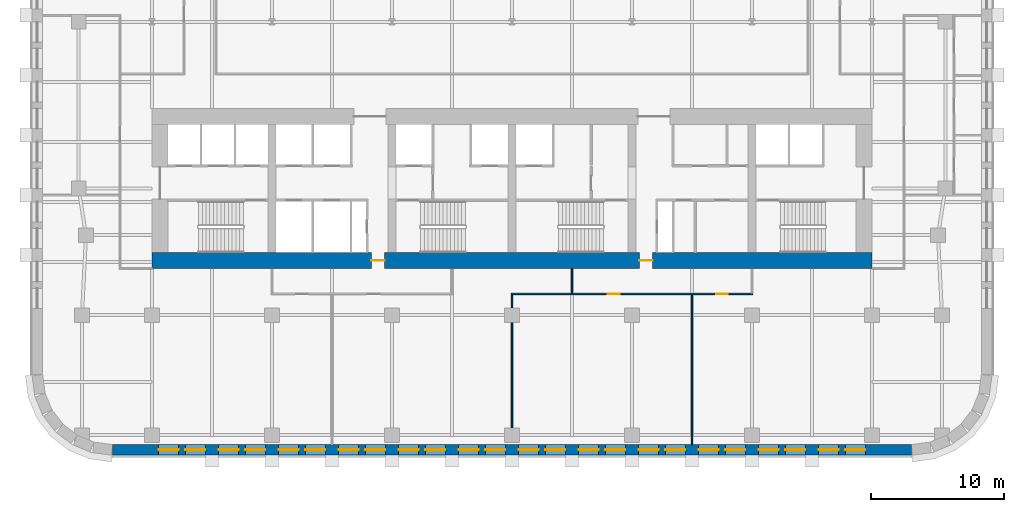
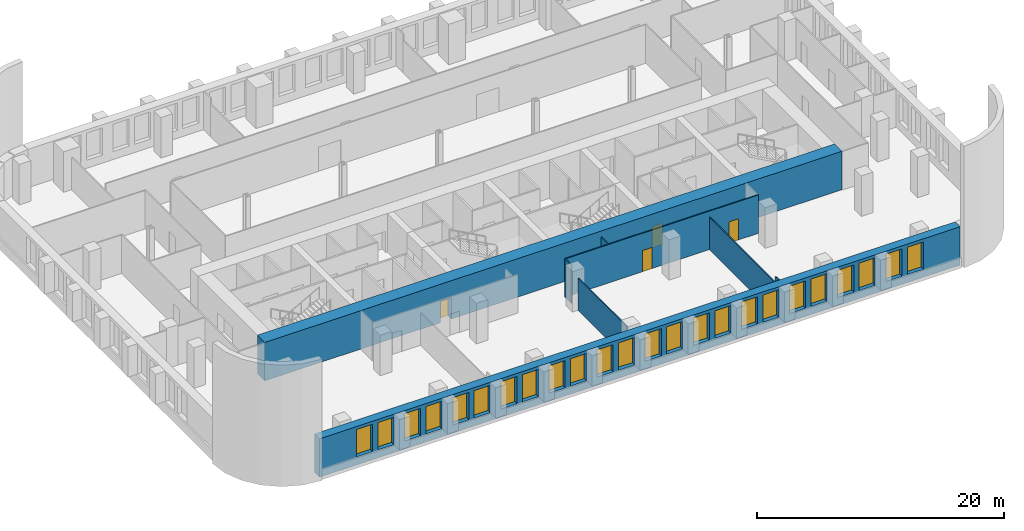
# One storey, part 5 of 12: 24 windows, 8 walls, 4 doors, 28 openings.
"""IFC4 building model written with IfcOpenShell, lengths in metres."""

from ifc_helpers import new_model, si_unit, direction, frame, frame_2d, origin, place, context, subcontext, project, spatial, rectangle, extrude, material, layer, layer_set, type_object, element, fill, save


model = new_model("IFC4")

# Units and contexts
model_context = context("Model", 3, precision=1e-05, world=origin(), true_north=direction((0.0, 1.0)))
body_context = subcontext(model_context, "Body", "Model", "MODEL_VIEW")
ifc_project = project(units=[si_unit("LENGTHUNIT", "METRE"), si_unit("AREAUNIT", "SQUARE_METRE"), si_unit("VOLUMEUNIT", "CUBIC_METRE"), si_unit("PLANEANGLEUNIT", "RADIAN"), si_unit("MASSUNIT", "GRAM", prefix="KILO")], contexts=[model_context])

# Site, building, storey
site_placement = place(None, origin())
site = spatial("IfcSite", under=ifc_project, at=site_placement, CompositionType="ELEMENT")
building_placement = place(site_placement, origin())
building = spatial("IfcBuilding", under=site, at=building_placement, Name="Zellij Exchange Tower", CompositionType="ELEMENT")
storey_placement = place(building_placement, frame((0.0, 0.0, 88.5)))
storey = spatial("IfcBuildingStorey", under=building, at=storey_placement, Name="L18", CompositionType="ELEMENT", Elevation=88.5)

# Wall, openings, doors
ifc_material_1 = material(Name="Concrete C70/85", Category="concrete")
ifc_layer_1 = layer(ifc_material_1, 1.199951171875)
ifc_layer_set_1 = layer_set([ifc_layer_1], Name="Concrete C70/85")
wall_type_1 = type_object("IfcWallType", Name="CORE-SW 1200 C70/85", PredefinedType="SHEAR", material=ifc_layer_set_1)
wall_1_placement = place(storey_placement, frame((-27.0, -13.39990234375, 0.0), z_axis=(0.0, 0.0, 1.0), x_axis=(1.0, 0.0, 0.0)))
wall_1 = element("IfcWall", 1, at=wall_1_placement, inside=storey, type_object=wall_type_1, Name="Core shear wall rear L18", PredefinedType="SHEAR", context=body_context, shape_type="SweptSolid", body=[
    extrude(rectangle(XDim=54.0, YDim=1.199951171875, at=frame_2d((27.0, 0.0))), origin(), (0.0, 0.0, 1.0), 3.800048828125),
])
opening_1_placement = place(wall_1_placement, frame((16.449951171875, 0.0, 0.0)))
opening_1 = element("IfcOpeningElement", 2, at=opening_1_placement, cuts=wall_1, Name="Opening CA-10.12", PredefinedType="OPENING", context=body_context, shape_type="SweptSolid", body=[
    extrude(rectangle(XDim=1.0, YDim=2.10009765625, at=frame_2d((0.5, 1.050048828125))), frame((0.0, 0.61181640625, 0.0), z_axis=(0.0, -1.0, 0.0), x_axis=(1.0, 0.0, 0.0)), (0.0, 0.0, 1.0), 1.223876953125),
])
opening_2_placement = place(wall_1_placement, frame((36.550048828125, 0.0, 0.0)))
opening_2 = element("IfcOpeningElement", 3, at=opening_2_placement, cuts=wall_1, Name="Opening CA-10.20", PredefinedType="OPENING", context=body_context, shape_type="SweptSolid", body=[
    extrude(rectangle(XDim=1.0, YDim=2.10009765625, at=frame_2d((0.5, 1.050048828125))), frame((0.0, 0.61181640625, 0.0), z_axis=(0.0, -1.0, 0.0), x_axis=(1.0, 0.0, 0.0)), (0.0, 0.0, 1.0), 1.223876953125),
])
ifc_material_2 = material(Name="Hollow metal fire door")
door_type_1 = type_object("IfcDoorType", Name="CORE-D CR Core rear door 1000x2100 20 MIN", OperationType="NOTDEFINED", PredefinedType="DOOR", material=ifc_material_2)
door_1_placement = place(opening_1_placement, origin())
door_1 = element("IfcDoor", 4, at=door_1_placement, inside=storey, type_object=door_type_1, Name="Core rear door CA-10.12", OperationType="SINGLE_SWING_RIGHT", OverallHeight=2.10009765625, OverallWidth=1.0, PredefinedType="DOOR", context=body_context, shape_type="SweptSolid", body=[
    extrude(rectangle(XDim=1.0, YDim=2.10009765625, at=frame_2d((0.5, 1.050048828125))), frame((0.0, 0.02490234375, 0.0), z_axis=(0.0, -1.0, 0.0), x_axis=(1.0, 0.0, 0.0)), (0.0, 0.0, 1.0), 0.050048828125),
])
fill(opening_1, door_1)
door_2_placement = place(opening_2_placement, origin())
door_2 = element("IfcDoor", 5, at=door_2_placement, inside=storey, type_object=door_type_1, Name="Core rear door CA-10.20", OperationType="SINGLE_SWING_LEFT", OverallHeight=2.10009765625, OverallWidth=1.0, PredefinedType="DOOR", context=body_context, shape_type="SweptSolid", body=[
    extrude(rectangle(XDim=1.0, YDim=2.10009765625, at=frame_2d((0.5, 1.050048828125))), frame((0.0, 0.02490234375, 0.0), z_axis=(0.0, -1.0, 0.0), x_axis=(1.0, 0.0, 0.0)), (0.0, 0.0, 1.0), 0.050048828125),
])
fill(opening_2, door_2)

# Wall, openings, windows
ifc_material_3 = material(Name="Precast concrete C40/50", Category="concrete")
ifc_layer_2 = layer(ifc_material_3, 0.800048828125)
ifc_layer_set_2 = layer_set([ifc_layer_2], Name="Precast concrete C40/50")
wall_type_2 = type_object("IfcWallType", Name="ENV-EW1 Precast stone-piered wall 800", PredefinedType="SOLIDWALL", material=ifc_layer_set_2)
wall_2_placement = place(storey_placement, frame((-29.947509765625, -27.60009765625, 0.0), z_axis=(0.0, 0.0, 1.0), x_axis=(1.0, 0.0, 0.0)))
wall_2 = element("IfcWall", 6, at=wall_2_placement, inside=storey, type_object=wall_type_2, Name="fac.L18.00", PredefinedType="SOLIDWALL", context=body_context, shape_type="SweptSolid", body=[
    extrude(rectangle(XDim=59.89501953125, YDim=0.800048828125, at=frame_2d((29.947509765625, 0.0))), origin(), (0.0, 0.0, 1.0), 3.800048828125),
])
opening_3_placement = place(wall_2_placement, frame((3.447509765625, 0.0, 0.800048828125)))
opening_3 = element("IfcOpeningElement", 7, at=opening_3_placement, cuts=wall_2, Name="Opening FZ1.01", PredefinedType="OPENING", context=body_context, shape_type="SweptSolid", body=[
    extrude(rectangle(XDim=1.5, YDim=2.699951171875, at=frame_2d((0.75, 1.35009765625))), frame((0.0, 0.412109375, 0.0), z_axis=(0.0, -1.0, 0.0), x_axis=(1.0, 0.0, 0.0)), (0.0, 0.0, 1.0), 0.823974609375),
])
opening_4_placement = place(wall_2_placement, frame((5.447509765625, 0.0, 0.800048828125)))
opening_4 = element("IfcOpeningElement", 8, at=opening_4_placement, cuts=wall_2, Name="Opening FZ1.02", PredefinedType="OPENING", context=body_context, shape_type="SweptSolid", body=[
    extrude(rectangle(XDim=1.5, YDim=2.699951171875, at=frame_2d((0.75, 1.35009765625))), frame((0.0, 0.412109375, 0.0), z_axis=(0.0, -1.0, 0.0), x_axis=(1.0, 0.0, 0.0)), (0.0, 0.0, 1.0), 0.823974609375),
])
opening_5_placement = place(wall_2_placement, frame((7.947509765625, 0.0, 0.800048828125)))
opening_5 = element("IfcOpeningElement", 9, at=opening_5_placement, cuts=wall_2, Name="Opening FZ1.03", PredefinedType="OPENING", context=body_context, shape_type="SweptSolid", body=[
    extrude(rectangle(XDim=1.5, YDim=2.699951171875, at=frame_2d((0.75, 1.35009765625))), frame((0.0, 0.412109375, 0.0), z_axis=(0.0, -1.0, 0.0), x_axis=(1.0, 0.0, 0.0)), (0.0, 0.0, 1.0), 0.823974609375),
])
opening_6_placement = place(wall_2_placement, frame((9.947509765625, 0.0, 0.800048828125)))
opening_6 = element("IfcOpeningElement", 10, at=opening_6_placement, cuts=wall_2, Name="Opening FZ1.04", PredefinedType="OPENING", context=body_context, shape_type="SweptSolid", body=[
    extrude(rectangle(XDim=1.5, YDim=2.699951171875, at=frame_2d((0.75, 1.35009765625))), frame((0.0, 0.412109375, 0.0), z_axis=(0.0, -1.0, 0.0), x_axis=(1.0, 0.0, 0.0)), (0.0, 0.0, 1.0), 0.823974609375),
])
opening_7_placement = place(wall_2_placement, frame((12.447509765625, 0.0, 0.800048828125)))
opening_7 = element("IfcOpeningElement", 11, at=opening_7_placement, cuts=wall_2, Name="Opening FZ1.05", PredefinedType="OPENING", context=body_context, shape_type="SweptSolid", body=[
    extrude(rectangle(XDim=1.5, YDim=2.699951171875, at=frame_2d((0.75, 1.35009765625))), frame((0.0, 0.412109375, 0.0), z_axis=(0.0, -1.0, 0.0), x_axis=(1.0, 0.0, 0.0)), (0.0, 0.0, 1.0), 0.823974609375),
])
opening_8_placement = place(wall_2_placement, frame((14.447509765625, 0.0, 0.800048828125)))
opening_8 = element("IfcOpeningElement", 12, at=opening_8_placement, cuts=wall_2, Name="Opening FZ1.06", PredefinedType="OPENING", context=body_context, shape_type="SweptSolid", body=[
    extrude(rectangle(XDim=1.5, YDim=2.699951171875, at=frame_2d((0.75, 1.35009765625))), frame((0.0, 0.412109375, 0.0), z_axis=(0.0, -1.0, 0.0), x_axis=(1.0, 0.0, 0.0)), (0.0, 0.0, 1.0), 0.823974609375),
])
opening_9_placement = place(wall_2_placement, frame((16.947509765625, 0.0, 0.800048828125)))
opening_9 = element("IfcOpeningElement", 13, at=opening_9_placement, cuts=wall_2, Name="Opening FZ1.07", PredefinedType="OPENING", context=body_context, shape_type="SweptSolid", body=[
    extrude(rectangle(XDim=1.5, YDim=2.699951171875, at=frame_2d((0.75, 1.35009765625))), frame((0.0, 0.412109375, 0.0), z_axis=(0.0, -1.0, 0.0), x_axis=(1.0, 0.0, 0.0)), (0.0, 0.0, 1.0), 0.823974609375),
])
opening_10_placement = place(wall_2_placement, frame((18.947509765625, 0.0, 0.800048828125)))
opening_10 = element("IfcOpeningElement", 14, at=opening_10_placement, cuts=wall_2, Name="Opening FZ1.08", PredefinedType="OPENING", context=body_context, shape_type="SweptSolid", body=[
    extrude(rectangle(XDim=1.5, YDim=2.699951171875, at=frame_2d((0.75, 1.35009765625))), frame((0.0, 0.412109375, 0.0), z_axis=(0.0, -1.0, 0.0), x_axis=(1.0, 0.0, 0.0)), (0.0, 0.0, 1.0), 0.823974609375),
])
opening_11_placement = place(wall_2_placement, frame((21.447509765625, 0.0, 0.800048828125)))
opening_11 = element("IfcOpeningElement", 15, at=opening_11_placement, cuts=wall_2, Name="Opening FZ1.09", PredefinedType="OPENING", context=body_context, shape_type="SweptSolid", body=[
    extrude(rectangle(XDim=1.5, YDim=2.699951171875, at=frame_2d((0.75, 1.35009765625))), frame((0.0, 0.412109375, 0.0), z_axis=(0.0, -1.0, 0.0), x_axis=(1.0, 0.0, 0.0)), (0.0, 0.0, 1.0), 0.823974609375),
])
opening_12_placement = place(wall_2_placement, frame((23.447509765625, 0.0, 0.800048828125)))
opening_12 = element("IfcOpeningElement", 16, at=opening_12_placement, cuts=wall_2, Name="Opening FZ1.10", PredefinedType="OPENING", context=body_context, shape_type="SweptSolid", body=[
    extrude(rectangle(XDim=1.5, YDim=2.699951171875, at=frame_2d((0.75, 1.35009765625))), frame((0.0, 0.412109375, 0.0), z_axis=(0.0, -1.0, 0.0), x_axis=(1.0, 0.0, 0.0)), (0.0, 0.0, 1.0), 0.823974609375),
])
opening_13_placement = place(wall_2_placement, frame((25.947509765625, 0.0, 0.800048828125)))
opening_13 = element("IfcOpeningElement", 17, at=opening_13_placement, cuts=wall_2, Name="Opening FZ1.11", PredefinedType="OPENING", context=body_context, shape_type="SweptSolid", body=[
    extrude(rectangle(XDim=1.5, YDim=2.699951171875, at=frame_2d((0.75, 1.35009765625))), frame((0.0, 0.412109375, 0.0), z_axis=(0.0, -1.0, 0.0), x_axis=(1.0, 0.0, 0.0)), (0.0, 0.0, 1.0), 0.823974609375),
])
opening_14_placement = place(wall_2_placement, frame((27.947509765625, 0.0, 0.800048828125)))
opening_14 = element("IfcOpeningElement", 18, at=opening_14_placement, cuts=wall_2, Name="Opening FZ1.12", PredefinedType="OPENING", context=body_context, shape_type="SweptSolid", body=[
    extrude(rectangle(XDim=1.5, YDim=2.699951171875, at=frame_2d((0.75, 1.35009765625))), frame((0.0, 0.412109375, 0.0), z_axis=(0.0, -1.0, 0.0), x_axis=(1.0, 0.0, 0.0)), (0.0, 0.0, 1.0), 0.823974609375),
])
opening_15_placement = place(wall_2_placement, frame((30.447509765625, 0.0, 0.800048828125)))
opening_15 = element("IfcOpeningElement", 19, at=opening_15_placement, cuts=wall_2, Name="Opening FZ1.13", PredefinedType="OPENING", context=body_context, shape_type="SweptSolid", body=[
    extrude(rectangle(XDim=1.5, YDim=2.699951171875, at=frame_2d((0.75, 1.35009765625))), frame((0.0, 0.412109375, 0.0), z_axis=(0.0, -1.0, 0.0), x_axis=(1.0, 0.0, 0.0)), (0.0, 0.0, 1.0), 0.823974609375),
])
opening_16_placement = place(wall_2_placement, frame((32.447509765625, 0.0, 0.800048828125)))
opening_16 = element("IfcOpeningElement", 20, at=opening_16_placement, cuts=wall_2, Name="Opening FZ1.14", PredefinedType="OPENING", context=body_context, shape_type="SweptSolid", body=[
    extrude(rectangle(XDim=1.5, YDim=2.699951171875, at=frame_2d((0.75, 1.35009765625))), frame((0.0, 0.412109375, 0.0), z_axis=(0.0, -1.0, 0.0), x_axis=(1.0, 0.0, 0.0)), (0.0, 0.0, 1.0), 0.823974609375),
])
opening_17_placement = place(wall_2_placement, frame((34.947509765625, 0.0, 0.800048828125)))
opening_17 = element("IfcOpeningElement", 21, at=opening_17_placement, cuts=wall_2, Name="Opening FZ1.15", PredefinedType="OPENING", context=body_context, shape_type="SweptSolid", body=[
    extrude(rectangle(XDim=1.5, YDim=2.699951171875, at=frame_2d((0.75, 1.35009765625))), frame((0.0, 0.412109375, 0.0), z_axis=(0.0, -1.0, 0.0), x_axis=(1.0, 0.0, 0.0)), (0.0, 0.0, 1.0), 0.823974609375),
])
opening_18_placement = place(wall_2_placement, frame((36.947509765625, 0.0, 0.800048828125)))
opening_18 = element("IfcOpeningElement", 22, at=opening_18_placement, cuts=wall_2, Name="Opening FZ1.16", PredefinedType="OPENING", context=body_context, shape_type="SweptSolid", body=[
    extrude(rectangle(XDim=1.5, YDim=2.699951171875, at=frame_2d((0.75, 1.35009765625))), frame((0.0, 0.412109375, 0.0), z_axis=(0.0, -1.0, 0.0), x_axis=(1.0, 0.0, 0.0)), (0.0, 0.0, 1.0), 0.823974609375),
])
opening_19_placement = place(wall_2_placement, frame((39.447509765625, 0.0, 0.800048828125)))
opening_19 = element("IfcOpeningElement", 23, at=opening_19_placement, cuts=wall_2, Name="Opening FZ1.17", PredefinedType="OPENING", context=body_context, shape_type="SweptSolid", body=[
    extrude(rectangle(XDim=1.5, YDim=2.699951171875, at=frame_2d((0.75, 1.35009765625))), frame((0.0, 0.412109375, 0.0), z_axis=(0.0, -1.0, 0.0), x_axis=(1.0, 0.0, 0.0)), (0.0, 0.0, 1.0), 0.823974609375),
])
opening_20_placement = place(wall_2_placement, frame((41.447509765625, 0.0, 0.800048828125)))
opening_20 = element("IfcOpeningElement", 24, at=opening_20_placement, cuts=wall_2, Name="Opening FZ1.18", PredefinedType="OPENING", context=body_context, shape_type="SweptSolid", body=[
    extrude(rectangle(XDim=1.5, YDim=2.699951171875, at=frame_2d((0.75, 1.35009765625))), frame((0.0, 0.412109375, 0.0), z_axis=(0.0, -1.0, 0.0), x_axis=(1.0, 0.0, 0.0)), (0.0, 0.0, 1.0), 0.823974609375),
])
opening_21_placement = place(wall_2_placement, frame((43.947509765625, 0.0, 0.800048828125)))
opening_21 = element("IfcOpeningElement", 25, at=opening_21_placement, cuts=wall_2, Name="Opening FZ1.19", PredefinedType="OPENING", context=body_context, shape_type="SweptSolid", body=[
    extrude(rectangle(XDim=1.5, YDim=2.699951171875, at=frame_2d((0.75, 1.35009765625))), frame((0.0, 0.412109375, 0.0), z_axis=(0.0, -1.0, 0.0), x_axis=(1.0, 0.0, 0.0)), (0.0, 0.0, 1.0), 0.823974609375),
])
opening_22_placement = place(wall_2_placement, frame((45.947509765625, 0.0, 0.800048828125)))
opening_22 = element("IfcOpeningElement", 26, at=opening_22_placement, cuts=wall_2, Name="Opening FZ1.20", PredefinedType="OPENING", context=body_context, shape_type="SweptSolid", body=[
    extrude(rectangle(XDim=1.5, YDim=2.699951171875, at=frame_2d((0.75, 1.35009765625))), frame((0.0, 0.412109375, 0.0), z_axis=(0.0, -1.0, 0.0), x_axis=(1.0, 0.0, 0.0)), (0.0, 0.0, 1.0), 0.823974609375),
])
opening_23_placement = place(wall_2_placement, frame((48.447509765625, 0.0, 0.800048828125)))
opening_23 = element("IfcOpeningElement", 27, at=opening_23_placement, cuts=wall_2, Name="Opening FZ1.21", PredefinedType="OPENING", context=body_context, shape_type="SweptSolid", body=[
    extrude(rectangle(XDim=1.5, YDim=2.699951171875, at=frame_2d((0.75, 1.35009765625))), frame((0.0, 0.412109375, 0.0), z_axis=(0.0, -1.0, 0.0), x_axis=(1.0, 0.0, 0.0)), (0.0, 0.0, 1.0), 0.823974609375),
])
opening_24_placement = place(wall_2_placement, frame((50.447509765625, 0.0, 0.800048828125)))
opening_24 = element("IfcOpeningElement", 28, at=opening_24_placement, cuts=wall_2, Name="Opening FZ1.22", PredefinedType="OPENING", context=body_context, shape_type="SweptSolid", body=[
    extrude(rectangle(XDim=1.5, YDim=2.699951171875, at=frame_2d((0.75, 1.35009765625))), frame((0.0, 0.412109375, 0.0), z_axis=(0.0, -1.0, 0.0), x_axis=(1.0, 0.0, 0.0)), (0.0, 0.0, 1.0), 0.823974609375),
])
opening_25_placement = place(wall_2_placement, frame((52.947509765625, 0.0, 0.800048828125)))
opening_25 = element("IfcOpeningElement", 29, at=opening_25_placement, cuts=wall_2, Name="Opening FZ1.23", PredefinedType="OPENING", context=body_context, shape_type="SweptSolid", body=[
    extrude(rectangle(XDim=1.5, YDim=2.699951171875, at=frame_2d((0.75, 1.35009765625))), frame((0.0, 0.412109375, 0.0), z_axis=(0.0, -1.0, 0.0), x_axis=(1.0, 0.0, 0.0)), (0.0, 0.0, 1.0), 0.823974609375),
])
opening_26_placement = place(wall_2_placement, frame((54.947509765625, 0.0, 0.800048828125)))
opening_26 = element("IfcOpeningElement", 30, at=opening_26_placement, cuts=wall_2, Name="Opening FZ1.24", PredefinedType="OPENING", context=body_context, shape_type="SweptSolid", body=[
    extrude(rectangle(XDim=1.5, YDim=2.699951171875, at=frame_2d((0.75, 1.35009765625))), frame((0.0, 0.412109375, 0.0), z_axis=(0.0, -1.0, 0.0), x_axis=(1.0, 0.0, 0.0)), (0.0, 0.0, 1.0), 0.823974609375),
])
ifc_material_4 = material(Name="Aluminium frame with insulating glass", Category="aluminium")
window_type = type_object("IfcWindowType", Name="ENV-W6 Window 1500x2700", PartitioningType="SINGLE_PANEL", PredefinedType="WINDOW", material=ifc_material_4)
window_1_placement = place(opening_3_placement, origin())
window_1 = element("IfcWindow", 31, at=window_1_placement, inside=storey, type_object=window_type, Name="Window FZ1.01", OverallHeight=2.699951171875, OverallWidth=1.5, PartitioningType="SINGLE_PANEL", PredefinedType="WINDOW", context=body_context, shape_type="SweptSolid", body=[
    extrude(rectangle(XDim=1.5, YDim=2.699951171875, at=frame_2d((0.75, 1.35009765625))), frame((0.0, 0.030029296875, 0.0), z_axis=(0.0, -1.0, 0.0), x_axis=(1.0, 0.0, 0.0)), (0.0, 0.0, 1.0), 0.06005859375),
])
fill(opening_3, window_1)
window_2_placement = place(opening_4_placement, origin())
window_2 = element("IfcWindow", 32, at=window_2_placement, inside=storey, type_object=window_type, Name="Window FZ1.02", OverallHeight=2.699951171875, OverallWidth=1.5, PartitioningType="SINGLE_PANEL", PredefinedType="WINDOW", context=body_context, shape_type="SweptSolid", body=[
    extrude(rectangle(XDim=1.5, YDim=2.699951171875, at=frame_2d((0.75, 1.35009765625))), frame((0.0, 0.030029296875, 0.0), z_axis=(0.0, -1.0, 0.0), x_axis=(1.0, 0.0, 0.0)), (0.0, 0.0, 1.0), 0.06005859375),
])
fill(opening_4, window_2)
window_3_placement = place(opening_5_placement, origin())
window_3 = element("IfcWindow", 33, at=window_3_placement, inside=storey, type_object=window_type, Name="Window FZ1.03", OverallHeight=2.699951171875, OverallWidth=1.5, PartitioningType="SINGLE_PANEL", PredefinedType="WINDOW", context=body_context, shape_type="SweptSolid", body=[
    extrude(rectangle(XDim=1.5, YDim=2.699951171875, at=frame_2d((0.75, 1.35009765625))), frame((0.0, 0.030029296875, 0.0), z_axis=(0.0, -1.0, 0.0), x_axis=(1.0, 0.0, 0.0)), (0.0, 0.0, 1.0), 0.06005859375),
])
fill(opening_5, window_3)
window_4_placement = place(opening_6_placement, origin())
window_4 = element("IfcWindow", 34, at=window_4_placement, inside=storey, type_object=window_type, Name="Window FZ1.04", OverallHeight=2.699951171875, OverallWidth=1.5, PartitioningType="SINGLE_PANEL", PredefinedType="WINDOW", context=body_context, shape_type="SweptSolid", body=[
    extrude(rectangle(XDim=1.5, YDim=2.699951171875, at=frame_2d((0.75, 1.35009765625))), frame((0.0, 0.030029296875, 0.0), z_axis=(0.0, -1.0, 0.0), x_axis=(1.0, 0.0, 0.0)), (0.0, 0.0, 1.0), 0.06005859375),
])
fill(opening_6, window_4)
window_5_placement = place(opening_7_placement, origin())
window_5 = element("IfcWindow", 35, at=window_5_placement, inside=storey, type_object=window_type, Name="Window FZ1.05", OverallHeight=2.699951171875, OverallWidth=1.5, PartitioningType="SINGLE_PANEL", PredefinedType="WINDOW", context=body_context, shape_type="SweptSolid", body=[
    extrude(rectangle(XDim=1.5, YDim=2.699951171875, at=frame_2d((0.75, 1.35009765625))), frame((0.0, 0.030029296875, 0.0), z_axis=(0.0, -1.0, 0.0), x_axis=(1.0, 0.0, 0.0)), (0.0, 0.0, 1.0), 0.06005859375),
])
fill(opening_7, window_5)
window_6_placement = place(opening_8_placement, origin())
window_6 = element("IfcWindow", 36, at=window_6_placement, inside=storey, type_object=window_type, Name="Window FZ1.06", OverallHeight=2.699951171875, OverallWidth=1.5, PartitioningType="SINGLE_PANEL", PredefinedType="WINDOW", context=body_context, shape_type="SweptSolid", body=[
    extrude(rectangle(XDim=1.5, YDim=2.699951171875, at=frame_2d((0.75, 1.35009765625))), frame((0.0, 0.030029296875, 0.0), z_axis=(0.0, -1.0, 0.0), x_axis=(1.0, 0.0, 0.0)), (0.0, 0.0, 1.0), 0.06005859375),
])
fill(opening_8, window_6)
window_7_placement = place(opening_9_placement, origin())
window_7 = element("IfcWindow", 37, at=window_7_placement, inside=storey, type_object=window_type, Name="Window FZ1.07", OverallHeight=2.699951171875, OverallWidth=1.5, PartitioningType="SINGLE_PANEL", PredefinedType="WINDOW", context=body_context, shape_type="SweptSolid", body=[
    extrude(rectangle(XDim=1.5, YDim=2.699951171875, at=frame_2d((0.75, 1.35009765625))), frame((0.0, 0.030029296875, 0.0), z_axis=(0.0, -1.0, 0.0), x_axis=(1.0, 0.0, 0.0)), (0.0, 0.0, 1.0), 0.06005859375),
])
fill(opening_9, window_7)
window_8_placement = place(opening_10_placement, origin())
window_8 = element("IfcWindow", 38, at=window_8_placement, inside=storey, type_object=window_type, Name="Window FZ1.08", OverallHeight=2.699951171875, OverallWidth=1.5, PartitioningType="SINGLE_PANEL", PredefinedType="WINDOW", context=body_context, shape_type="SweptSolid", body=[
    extrude(rectangle(XDim=1.5, YDim=2.699951171875, at=frame_2d((0.75, 1.35009765625))), frame((0.0, 0.030029296875, 0.0), z_axis=(0.0, -1.0, 0.0), x_axis=(1.0, 0.0, 0.0)), (0.0, 0.0, 1.0), 0.06005859375),
])
fill(opening_10, window_8)
window_9_placement = place(opening_11_placement, origin())
window_9 = element("IfcWindow", 39, at=window_9_placement, inside=storey, type_object=window_type, Name="Window FZ1.09", OverallHeight=2.699951171875, OverallWidth=1.5, PartitioningType="SINGLE_PANEL", PredefinedType="WINDOW", context=body_context, shape_type="SweptSolid", body=[
    extrude(rectangle(XDim=1.5, YDim=2.699951171875, at=frame_2d((0.75, 1.35009765625))), frame((0.0, 0.030029296875, 0.0), z_axis=(0.0, -1.0, 0.0), x_axis=(1.0, 0.0, 0.0)), (0.0, 0.0, 1.0), 0.06005859375),
])
fill(opening_11, window_9)
window_10_placement = place(opening_12_placement, origin())
window_10 = element("IfcWindow", 40, at=window_10_placement, inside=storey, type_object=window_type, Name="Window FZ1.10", OverallHeight=2.699951171875, OverallWidth=1.5, PartitioningType="SINGLE_PANEL", PredefinedType="WINDOW", context=body_context, shape_type="SweptSolid", body=[
    extrude(rectangle(XDim=1.5, YDim=2.699951171875, at=frame_2d((0.75, 1.35009765625))), frame((0.0, 0.030029296875, 0.0), z_axis=(0.0, -1.0, 0.0), x_axis=(1.0, 0.0, 0.0)), (0.0, 0.0, 1.0), 0.06005859375),
])
fill(opening_12, window_10)
window_11_placement = place(opening_13_placement, origin())
window_11 = element("IfcWindow", 41, at=window_11_placement, inside=storey, type_object=window_type, Name="Window FZ1.11", OverallHeight=2.699951171875, OverallWidth=1.5, PartitioningType="SINGLE_PANEL", PredefinedType="WINDOW", context=body_context, shape_type="SweptSolid", body=[
    extrude(rectangle(XDim=1.5, YDim=2.699951171875, at=frame_2d((0.75, 1.35009765625))), frame((0.0, 0.030029296875, 0.0), z_axis=(0.0, -1.0, 0.0), x_axis=(1.0, 0.0, 0.0)), (0.0, 0.0, 1.0), 0.06005859375),
])
fill(opening_13, window_11)
window_12_placement = place(opening_14_placement, origin())
window_12 = element("IfcWindow", 42, at=window_12_placement, inside=storey, type_object=window_type, Name="Window FZ1.12", OverallHeight=2.699951171875, OverallWidth=1.5, PartitioningType="SINGLE_PANEL", PredefinedType="WINDOW", context=body_context, shape_type="SweptSolid", body=[
    extrude(rectangle(XDim=1.5, YDim=2.699951171875, at=frame_2d((0.75, 1.35009765625))), frame((0.0, 0.030029296875, 0.0), z_axis=(0.0, -1.0, 0.0), x_axis=(1.0, 0.0, 0.0)), (0.0, 0.0, 1.0), 0.06005859375),
])
fill(opening_14, window_12)
window_13_placement = place(opening_15_placement, origin())
window_13 = element("IfcWindow", 43, at=window_13_placement, inside=storey, type_object=window_type, Name="Window FZ1.13", OverallHeight=2.699951171875, OverallWidth=1.5, PartitioningType="SINGLE_PANEL", PredefinedType="WINDOW", context=body_context, shape_type="SweptSolid", body=[
    extrude(rectangle(XDim=1.5, YDim=2.699951171875, at=frame_2d((0.75, 1.35009765625))), frame((0.0, 0.030029296875, 0.0), z_axis=(0.0, -1.0, 0.0), x_axis=(1.0, 0.0, 0.0)), (0.0, 0.0, 1.0), 0.06005859375),
])
fill(opening_15, window_13)
window_14_placement = place(opening_16_placement, origin())
window_14 = element("IfcWindow", 44, at=window_14_placement, inside=storey, type_object=window_type, Name="Window FZ1.14", OverallHeight=2.699951171875, OverallWidth=1.5, PartitioningType="SINGLE_PANEL", PredefinedType="WINDOW", context=body_context, shape_type="SweptSolid", body=[
    extrude(rectangle(XDim=1.5, YDim=2.699951171875, at=frame_2d((0.75, 1.35009765625))), frame((0.0, 0.030029296875, 0.0), z_axis=(0.0, -1.0, 0.0), x_axis=(1.0, 0.0, 0.0)), (0.0, 0.0, 1.0), 0.06005859375),
])
fill(opening_16, window_14)
window_15_placement = place(opening_17_placement, origin())
window_15 = element("IfcWindow", 45, at=window_15_placement, inside=storey, type_object=window_type, Name="Window FZ1.15", OverallHeight=2.699951171875, OverallWidth=1.5, PartitioningType="SINGLE_PANEL", PredefinedType="WINDOW", context=body_context, shape_type="SweptSolid", body=[
    extrude(rectangle(XDim=1.5, YDim=2.699951171875, at=frame_2d((0.75, 1.35009765625))), frame((0.0, 0.030029296875, 0.0), z_axis=(0.0, -1.0, 0.0), x_axis=(1.0, 0.0, 0.0)), (0.0, 0.0, 1.0), 0.06005859375),
])
fill(opening_17, window_15)
window_16_placement = place(opening_18_placement, origin())
window_16 = element("IfcWindow", 46, at=window_16_placement, inside=storey, type_object=window_type, Name="Window FZ1.16", OverallHeight=2.699951171875, OverallWidth=1.5, PartitioningType="SINGLE_PANEL", PredefinedType="WINDOW", context=body_context, shape_type="SweptSolid", body=[
    extrude(rectangle(XDim=1.5, YDim=2.699951171875, at=frame_2d((0.75, 1.35009765625))), frame((0.0, 0.030029296875, 0.0), z_axis=(0.0, -1.0, 0.0), x_axis=(1.0, 0.0, 0.0)), (0.0, 0.0, 1.0), 0.06005859375),
])
fill(opening_18, window_16)
window_17_placement = place(opening_19_placement, origin())
window_17 = element("IfcWindow", 47, at=window_17_placement, inside=storey, type_object=window_type, Name="Window FZ1.17", OverallHeight=2.699951171875, OverallWidth=1.5, PartitioningType="SINGLE_PANEL", PredefinedType="WINDOW", context=body_context, shape_type="SweptSolid", body=[
    extrude(rectangle(XDim=1.5, YDim=2.699951171875, at=frame_2d((0.75, 1.35009765625))), frame((0.0, 0.030029296875, 0.0), z_axis=(0.0, -1.0, 0.0), x_axis=(1.0, 0.0, 0.0)), (0.0, 0.0, 1.0), 0.06005859375),
])
fill(opening_19, window_17)
window_18_placement = place(opening_20_placement, origin())
window_18 = element("IfcWindow", 48, at=window_18_placement, inside=storey, type_object=window_type, Name="Window FZ1.18", OverallHeight=2.699951171875, OverallWidth=1.5, PartitioningType="SINGLE_PANEL", PredefinedType="WINDOW", context=body_context, shape_type="SweptSolid", body=[
    extrude(rectangle(XDim=1.5, YDim=2.699951171875, at=frame_2d((0.75, 1.35009765625))), frame((0.0, 0.030029296875, 0.0), z_axis=(0.0, -1.0, 0.0), x_axis=(1.0, 0.0, 0.0)), (0.0, 0.0, 1.0), 0.06005859375),
])
fill(opening_20, window_18)
window_19_placement = place(opening_21_placement, origin())
window_19 = element("IfcWindow", 49, at=window_19_placement, inside=storey, type_object=window_type, Name="Window FZ1.19", OverallHeight=2.699951171875, OverallWidth=1.5, PartitioningType="SINGLE_PANEL", PredefinedType="WINDOW", context=body_context, shape_type="SweptSolid", body=[
    extrude(rectangle(XDim=1.5, YDim=2.699951171875, at=frame_2d((0.75, 1.35009765625))), frame((0.0, 0.030029296875, 0.0), z_axis=(0.0, -1.0, 0.0), x_axis=(1.0, 0.0, 0.0)), (0.0, 0.0, 1.0), 0.06005859375),
])
fill(opening_21, window_19)
window_20_placement = place(opening_22_placement, origin())
window_20 = element("IfcWindow", 50, at=window_20_placement, inside=storey, type_object=window_type, Name="Window FZ1.20", OverallHeight=2.699951171875, OverallWidth=1.5, PartitioningType="SINGLE_PANEL", PredefinedType="WINDOW", context=body_context, shape_type="SweptSolid", body=[
    extrude(rectangle(XDim=1.5, YDim=2.699951171875, at=frame_2d((0.75, 1.35009765625))), frame((0.0, 0.030029296875, 0.0), z_axis=(0.0, -1.0, 0.0), x_axis=(1.0, 0.0, 0.0)), (0.0, 0.0, 1.0), 0.06005859375),
])
fill(opening_22, window_20)
window_21_placement = place(opening_23_placement, origin())
window_21 = element("IfcWindow", 51, at=window_21_placement, inside=storey, type_object=window_type, Name="Window FZ1.21", OverallHeight=2.699951171875, OverallWidth=1.5, PartitioningType="SINGLE_PANEL", PredefinedType="WINDOW", context=body_context, shape_type="SweptSolid", body=[
    extrude(rectangle(XDim=1.5, YDim=2.699951171875, at=frame_2d((0.75, 1.35009765625))), frame((0.0, 0.030029296875, 0.0), z_axis=(0.0, -1.0, 0.0), x_axis=(1.0, 0.0, 0.0)), (0.0, 0.0, 1.0), 0.06005859375),
])
fill(opening_23, window_21)
window_22_placement = place(opening_24_placement, origin())
window_22 = element("IfcWindow", 52, at=window_22_placement, inside=storey, type_object=window_type, Name="Window FZ1.22", OverallHeight=2.699951171875, OverallWidth=1.5, PartitioningType="SINGLE_PANEL", PredefinedType="WINDOW", context=body_context, shape_type="SweptSolid", body=[
    extrude(rectangle(XDim=1.5, YDim=2.699951171875, at=frame_2d((0.75, 1.35009765625))), frame((0.0, 0.030029296875, 0.0), z_axis=(0.0, -1.0, 0.0), x_axis=(1.0, 0.0, 0.0)), (0.0, 0.0, 1.0), 0.06005859375),
])
fill(opening_24, window_22)
window_23_placement = place(opening_25_placement, origin())
window_23 = element("IfcWindow", 53, at=window_23_placement, inside=storey, type_object=window_type, Name="Window FZ1.23", OverallHeight=2.699951171875, OverallWidth=1.5, PartitioningType="SINGLE_PANEL", PredefinedType="WINDOW", context=body_context, shape_type="SweptSolid", body=[
    extrude(rectangle(XDim=1.5, YDim=2.699951171875, at=frame_2d((0.75, 1.35009765625))), frame((0.0, 0.030029296875, 0.0), z_axis=(0.0, -1.0, 0.0), x_axis=(1.0, 0.0, 0.0)), (0.0, 0.0, 1.0), 0.06005859375),
])
fill(opening_25, window_23)
window_24_placement = place(opening_26_placement, origin())
window_24 = element("IfcWindow", 54, at=window_24_placement, inside=storey, type_object=window_type, Name="Window FZ1.24", OverallHeight=2.699951171875, OverallWidth=1.5, PartitioningType="SINGLE_PANEL", PredefinedType="WINDOW", context=body_context, shape_type="SweptSolid", body=[
    extrude(rectangle(XDim=1.5, YDim=2.699951171875, at=frame_2d((0.75, 1.35009765625))), frame((0.0, 0.030029296875, 0.0), z_axis=(0.0, -1.0, 0.0), x_axis=(1.0, 0.0, 0.0)), (0.0, 0.0, 1.0), 0.06005859375),
])
fill(opening_26, window_24)

# Walls
ifc_material_5 = material(Name="Gypsum board partition on steel studs", Category="steel")
ifc_layer_3 = layer(ifc_material_5, 0.10009765625)
ifc_layer_set_3 = layer_set([ifc_layer_3], Name="Gypsum board partition on steel studs")
wall_type_3 = type_object("IfcWallType", Name="FIT-PARTITION-100", PredefinedType="PARTITIONING", material=ifc_layer_set_3)
wall_3_placement = place(storey_placement, frame((0.0, -25.949951171875, 0.0), z_axis=(0.0, 0.0, 1.0), x_axis=(0.0, 1.0, 0.0)))
element("IfcWall", 55, at=wall_3_placement, inside=storey, type_object=wall_type_3, Name="FIT-PARTITION-100 003", PredefinedType="PARTITIONING", context=body_context, shape_type="SweptSolid", body=[
    extrude(rectangle(XDim=7.89990234375, YDim=0.10009765625, at=frame_2d((3.949951171875, 0.0))), origin(), (0.0, 0.0, 1.0), 3.18798828125),
])
wall_4_placement = place(storey_placement, frame((0.0, -16.949951171875, 0.0), z_axis=(0.0, 0.0, 1.0), x_axis=(0.0, 1.0, 0.0)))
element("IfcWall", 56, at=wall_4_placement, inside=storey, type_object=wall_type_3, Name="FIT-PARTITION-100 004", PredefinedType="PARTITIONING", context=body_context, shape_type="SweptSolid", body=[
    extrude(rectangle(XDim=1.0, YDim=0.10009765625, at=frame_2d((0.5, 0.0))), origin(), (0.0, 0.0, 1.0), 3.800048828125),
])
wall_5_placement = place(storey_placement, frame((13.5, -27.199951171875, 0.0), z_axis=(0.0, 0.0, 1.0), x_axis=(0.0, 1.0, 0.0)))
element("IfcWall", 57, at=wall_5_placement, inside=storey, type_object=wall_type_3, Name="FIT-PARTITION-100 005", PredefinedType="PARTITIONING", context=body_context, shape_type="SweptSolid", body=[
    extrude(rectangle(XDim=0.58544921875, YDim=0.10009765625, at=frame_2d((0.292724609375, 0.0))), origin(), (0.0, 0.0, 1.0), 3.800048828125),
])
wall_6_placement = place(storey_placement, frame((13.5, -26.614501953125, 0.0), z_axis=(0.0, 0.0, 1.0), x_axis=(0.0, 1.0, 0.0)))
element("IfcWall", 58, at=wall_6_placement, inside=storey, type_object=wall_type_3, Name="FIT-PARTITION-100 006", PredefinedType="PARTITIONING", context=body_context, shape_type="SweptSolid", body=[
    extrude(rectangle(XDim=10.66455078125, YDim=0.10009765625, at=frame_2d((5.332275390625, 0.0))), origin(), (0.0, 0.0, 1.0), 3.197998046875),
])

# Wall, openings, doors
wall_7_placement = place(storey_placement, frame((-0.050048828125, -15.89990234375, 0.0), z_axis=(0.0, 0.0, 1.0), x_axis=(1.0, 0.0, 0.0)))
wall_7 = element("IfcWall", 59, at=wall_7_placement, inside=storey, type_object=wall_type_3, Name="FIT-PARTITION-100 010", PredefinedType="PARTITIONING", context=body_context, shape_type="SweptSolid", body=[
    extrude(rectangle(XDim=18.10009765625, YDim=0.10009765625, at=frame_2d((9.050048828125, 0.0))), origin(), (0.0, 0.0, 1.0), 3.800048828125),
])
opening_27_placement = place(wall_7_placement, frame((7.25, 0.0, 0.0)))
opening_27 = element("IfcOpeningElement", 60, at=opening_27_placement, cuts=wall_7, Name="Opening TD.03", PredefinedType="OPENING", context=body_context, shape_type="SweptSolid", body=[
    extrude(rectangle(XDim=0.89990234375, YDim=2.10009765625, at=frame_2d((0.449951171875, 1.050048828125))), frame((0.0, 0.06201171875, 0.0), z_axis=(0.0, -1.0, 0.0), x_axis=(1.0, 0.0, 0.0)), (0.0, 0.0, 1.0), 0.1240234375),
])
opening_28_placement = place(wall_7_placement, frame((15.35009765625, 0.0, 0.0)))
opening_28 = element("IfcOpeningElement", 61, at=opening_28_placement, cuts=wall_7, Name="Opening TD.04", PredefinedType="OPENING", context=body_context, shape_type="SweptSolid", body=[
    extrude(rectangle(XDim=0.89990234375, YDim=2.10009765625, at=frame_2d((0.449951171875, 1.050048828125))), frame((0.0, 0.06201171875, 0.0), z_axis=(0.0, -1.0, 0.0), x_axis=(1.0, 0.0, 0.0)), (0.0, 0.0, 1.0), 0.1240234375),
])
ifc_material_6 = material(Name="Timber door set", Category="wood")
door_type_2 = type_object("IfcDoorType", Name="FIT-D1-ROOM-900X2100", OperationType="SINGLE_SWING_LEFT", PredefinedType="DOOR", material=ifc_material_6)
door_3_placement = place(opening_27_placement, origin())
door_3 = element("IfcDoor", 62, at=door_3_placement, inside=storey, type_object=door_type_2, Name="Door TD.03", OperationType="SINGLE_SWING_LEFT", OverallHeight=2.10009765625, OverallWidth=0.89990234375, PredefinedType="DOOR", context=body_context, shape_type="SweptSolid", body=[
    extrude(rectangle(XDim=0.89990234375, YDim=2.10009765625, at=frame_2d((0.449951171875, 1.050048828125))), frame((0.0, 0.02490234375, 0.0), z_axis=(0.0, -1.0, 0.0), x_axis=(1.0, 0.0, 0.0)), (0.0, 0.0, 1.0), 0.050048828125),
])
fill(opening_27, door_3)
door_4_placement = place(opening_28_placement, origin())
door_4 = element("IfcDoor", 63, at=door_4_placement, inside=storey, type_object=door_type_2, Name="Door TD.04", OperationType="SINGLE_SWING_LEFT", OverallHeight=2.10009765625, OverallWidth=0.89990234375, PredefinedType="DOOR", context=body_context, shape_type="SweptSolid", body=[
    extrude(rectangle(XDim=0.89990234375, YDim=2.10009765625, at=frame_2d((0.449951171875, 1.050048828125))), frame((0.0, 0.02490234375, 0.0), z_axis=(0.0, -1.0, 0.0), x_axis=(1.0, 0.0, 0.0)), (0.0, 0.0, 1.0), 0.050048828125),
])
fill(opening_28, door_4)

# Wall
wall_8_placement = place(storey_placement, frame((4.5, -15.85009765625, 0.0), z_axis=(0.0, 0.0, 1.0), x_axis=(0.0, 1.0, 0.0)))
element("IfcWall", 64, at=wall_8_placement, inside=storey, type_object=wall_type_3, Name="FIT-PARTITION-100 011", PredefinedType="PARTITIONING", context=body_context, shape_type="SweptSolid", body=[
    extrude(rectangle(XDim=1.85009765625, YDim=0.10009765625, at=frame_2d((0.925048828125, 0.0))), origin(), (0.0, 0.0, 1.0), 3.197998046875),
])

save(model, "model.ifc")
